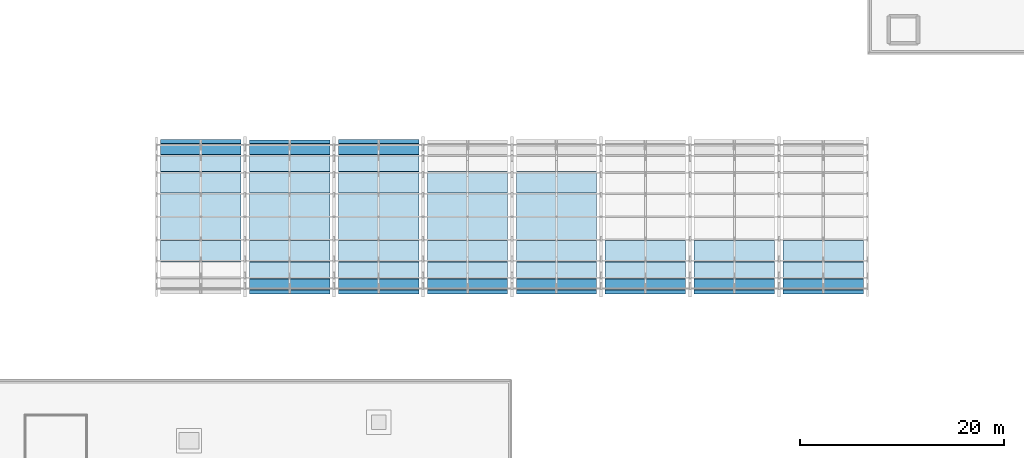
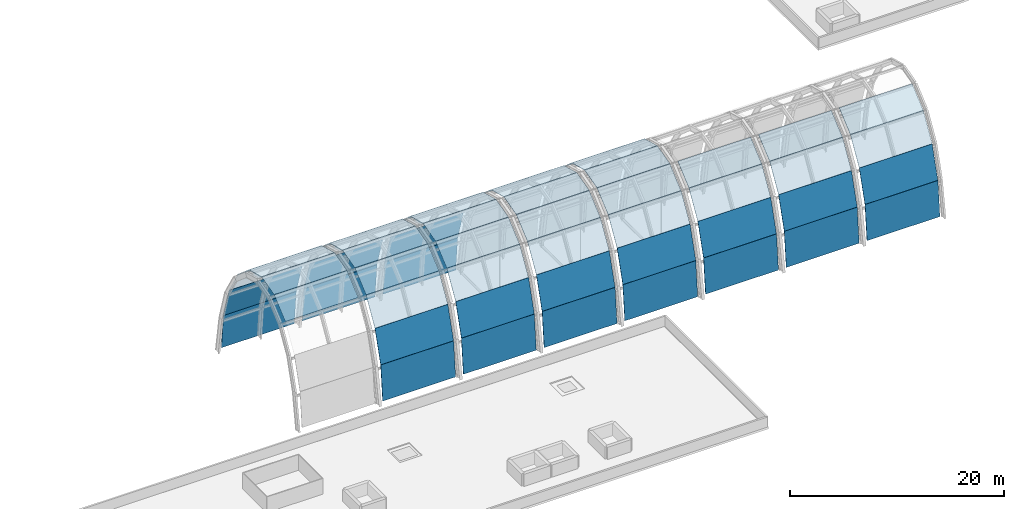
# One storey, part 10 of 13: 53 plates.
"""IFC4 building model written with IfcOpenShell, lengths in metres."""

from ifc_helpers import new_model, si_unit, derived_unit, direction, frame, origin, place, context, subcontext, project, spatial, polyline, outline, extrude, material, layer, layer_set, type_object, element, save


model = new_model("IFC4")

# Units and contexts
model_context = context("Model", 3, precision=1e-05, world=origin(), true_north=direction((0.0, 1.0)))
body_context = subcontext(model_context, "Body", "Model", "MODEL_VIEW")
ifc_project = project(units=[si_unit("LENGTHUNIT", "METRE"), si_unit("AREAUNIT", "SQUARE_METRE"), si_unit("VOLUMEUNIT", "CUBIC_METRE"), si_unit("PLANEANGLEUNIT", "RADIAN"), si_unit("MASSUNIT", "GRAM", prefix="KILO"), derived_unit("THERMALTRANSMITTANCEUNIT", [(si_unit("MASSUNIT", "GRAM", prefix="KILO"), 1), (si_unit("TIMEUNIT", "SECOND"), -3), (si_unit("THERMODYNAMICTEMPERATUREUNIT", "KELVIN"), -1)])], contexts=[model_context])

# Site, building, storey
site_placement = place(None, origin())
site = spatial("IfcSite", under=ifc_project, at=site_placement, CompositionType="ELEMENT")
building_placement = place(site_placement, origin())
building = spatial("IfcBuilding", under=site, at=building_placement, Name="Qinzheling Arcade Emporium", CompositionType="ELEMENT")
storey_placement = place(building_placement, frame((0.0, 0.0, 41.10009765625)))
storey = spatial("IfcBuildingStorey", under=building, at=storey_placement, Name="RF", CompositionType="ELEMENT", Elevation=41.10009765625)

# Plates
ifc_material = material(Name="Ceramic-fritted laminated skylight glass", Category="glass")
ifc_layer_1 = layer(ifc_material, 0.032958984375, Name="Ceramic-fritted laminated skylight glass", Category="glass")
ifc_layer_set_1 = layer_set([ifc_layer_1], Name="Ceramic-fritted laminated skylight glass")
plate_type_1 = type_object("IfcPlateType", Name="Barrel Vault Skylight Roof Panel 33mm", PredefinedType="USERDEFINED", material=ifc_layer_set_1)
plate_1_placement = place(storey_placement, frame((35.219970703125, 53.470947265625, 5.4189453125), z_axis=(0.0, -0.650279671288, 0.759694905281), x_axis=(1.0, 0.0, 0.0)))
element("IfcPlate", 1, at=plate_1_placement, inside=storey, type_object=plate_type_1, Name="Barrel Vault Skylight Roof Panel SKP-ATRIUM-B01-S04", ObjectType="SKYLIGHT_PANEL", PredefinedType="USERDEFINED", context=body_context, shape_type="SweptSolid", body=[
    extrude(outline(polyline([(0.0, 0.0), (7.860107421875, 0.0), (7.860107421875, 2.7512200965105484), (0.0, 2.7512200965105484), (0.0, 0.0)])), origin(), (0.0, 0.0, -1.0), 0.032958984375),
])
plate_2_placement = place(storey_placement, frame((35.219970703125, 62.3359375, 5.410888671875), z_axis=(0.0, 0.859214140799, 0.51161612587), x_axis=(1.0, 0.0, 0.0)))
element("IfcPlate", 2, at=plate_2_placement, inside=storey, type_object=plate_type_1, Name="Barrel Vault Skylight Roof Panel SKP-ATRIUM-B01-S08", ObjectType="SKYLIGHT_PANEL", PredefinedType="USERDEFINED", context=body_context, shape_type="SweptSolid", body=[
    extrude(outline(polyline([(0.0, 0.0), (7.860107421875, 0.0), (7.860107421875, 3.2449255722280164), (0.0, 3.2449255722280164), (0.0, 0.0)])), origin(), (0.0, 0.0, -1.0), 0.032958984375),
])
plate_3_placement = place(storey_placement, frame((43.919921875, 50.735107421875, -0.89599609375), z_axis=(0.0, -0.956970675176, 0.290184642691), x_axis=(1.0, 0.0, 0.0)))
element("IfcPlate", 3, at=plate_3_placement, inside=storey, type_object=plate_type_1, Name="Barrel Vault Skylight Roof Panel SKP-ATRIUM-B02-S02", ObjectType="SKYLIGHT_PANEL", PredefinedType="USERDEFINED", context=body_context, shape_type="SweptSolid", body=[
    extrude(outline(polyline([(0.0, 0.0), (7.860107421875, 0.0), (7.860107421875, 3.6698751400930294), (0.0, 3.6698751400930294), (0.0, 0.0)])), origin(), (0.0, 0.0, -1.0), 0.032958984375),
])
plate_4_placement = place(storey_placement, frame((43.919921875, 57.907958984375, 7.831787109375), z_axis=(0.0, 0.257187524767, 0.966361514706), x_axis=(1.0, 0.0, 0.0)))
element("IfcPlate", 4, at=plate_4_placement, inside=storey, type_object=plate_type_1, Name="Barrel Vault Skylight Roof Panel SKP-ATRIUM-B02-S06", ObjectType="SKYLIGHT_PANEL", PredefinedType="USERDEFINED", context=body_context, shape_type="SweptSolid", body=[
    extrude(outline(polyline([(0.0, 0.0), (7.860107421875, 0.0), (7.860107421875, 2.3988074846719925), (0.0, 2.3988074846719925), (0.0, 0.0)])), origin(), (0.0, 0.0, -1.0), 0.032958984375),
])
plate_5_placement = place(storey_placement, frame((43.919921875, 65.06591796875, -0.903076171875), z_axis=(0.0, 0.995583686489, 0.093878236017), x_axis=(1.0, 0.0, 0.0)))
element("IfcPlate", 5, at=plate_5_placement, inside=storey, type_object=plate_type_1, Name="Barrel Vault Skylight Roof Panel SKP-ATRIUM-B02-S10", ObjectType="SKYLIGHT_PANEL", PredefinedType="USERDEFINED", context=body_context, shape_type="SweptSolid", body=[
    extrude(outline(polyline([(0.0, 0.0), (7.860107421875, 0.0), (7.860107421875, 3.911316568960836), (0.0, 3.911316568960836), (0.0, 0.0)])), origin(), (0.0, 0.0, -1.0), 0.032958984375),
])
plate_6_placement = place(storey_placement, frame((52.6201171875, 53.470947265625, 5.4189453125), z_axis=(0.0, -0.650279671288, 0.759694905281), x_axis=(1.0, 0.0, 0.0)))
element("IfcPlate", 6, at=plate_6_placement, inside=storey, type_object=plate_type_1, Name="Barrel Vault Skylight Roof Panel SKP-ATRIUM-B03-S04", ObjectType="SKYLIGHT_PANEL", PredefinedType="USERDEFINED", context=body_context, shape_type="SweptSolid", body=[
    extrude(outline(polyline([(0.0, 0.0), (7.85986328125, 0.0), (7.85986328125, 2.751220096510549), (0.0, 2.751220096510549), (0.0, 0.0)])), origin(), (0.0, 0.0, -1.0), 0.032958984375),
])
plate_7_placement = place(storey_placement, frame((52.6201171875, 62.3359375, 5.410888671875), z_axis=(0.0, 0.859214140799, 0.51161612587), x_axis=(1.0, 0.0, 0.0)))
element("IfcPlate", 7, at=plate_7_placement, inside=storey, type_object=plate_type_1, Name="Barrel Vault Skylight Roof Panel SKP-ATRIUM-B03-S08", ObjectType="SKYLIGHT_PANEL", PredefinedType="USERDEFINED", context=body_context, shape_type="SweptSolid", body=[
    extrude(outline(polyline([(0.0, 0.0), (7.85986328125, 0.0), (7.85986328125, 3.2449255722280164), (0.0, 3.2449255722280164), (0.0, 0.0)])), origin(), (0.0, 0.0, -1.0), 0.032958984375),
])
plate_8_placement = place(storey_placement, frame((61.320068359375, 50.735107421875, -0.89599609375), z_axis=(0.0, -0.956970675176, 0.290184642691), x_axis=(1.0, 0.0, 0.0)))
element("IfcPlate", 8, at=plate_8_placement, inside=storey, type_object=plate_type_1, Name="Barrel Vault Skylight Roof Panel SKP-ATRIUM-B04-S02", ObjectType="SKYLIGHT_PANEL", PredefinedType="USERDEFINED", context=body_context, shape_type="SweptSolid", body=[
    extrude(outline(polyline([(0.0, 0.0), (7.85986328125, 0.0), (7.85986328125, 3.6698751400930294), (0.0, 3.6698751400930294), (0.0, 0.0)])), origin(), (0.0, 0.0, -1.0), 0.032958984375),
])
plate_9_placement = place(storey_placement, frame((61.320068359375, 57.907958984375, 7.831787109375), z_axis=(0.0, 0.257187524767, 0.966361514706), x_axis=(1.0, 0.0, 0.0)))
element("IfcPlate", 9, at=plate_9_placement, inside=storey, type_object=plate_type_1, Name="Barrel Vault Skylight Roof Panel SKP-ATRIUM-B04-S06", ObjectType="SKYLIGHT_PANEL", PredefinedType="USERDEFINED", context=body_context, shape_type="SweptSolid", body=[
    extrude(outline(polyline([(0.0, 0.0), (7.85986328125, 0.0), (7.85986328125, 2.3988074846719925), (0.0, 2.3988074846719925), (0.0, 0.0)])), origin(), (0.0, 0.0, -1.0), 0.032958984375),
])
plate_10_placement = place(storey_placement, frame((70.02001953125, 53.470947265625, 5.4189453125), z_axis=(0.0, -0.650279671288, 0.759694905281), x_axis=(1.0, 0.0, 0.0)))
element("IfcPlate", 10, at=plate_10_placement, inside=storey, type_object=plate_type_1, Name="Barrel Vault Skylight Roof Panel SKP-ATRIUM-B05-S04", ObjectType="SKYLIGHT_PANEL", PredefinedType="USERDEFINED", context=body_context, shape_type="SweptSolid", body=[
    extrude(outline(polyline([(0.0, 0.0), (7.85986328125, 0.0), (7.85986328125, 2.751220096510549), (0.0, 2.751220096510549), (0.0, 0.0)])), origin(), (0.0, 0.0, -1.0), 0.032958984375),
])
plate_11_placement = place(storey_placement, frame((78.719970703125, 50.735107421875, -0.89599609375), z_axis=(0.0, -0.956970675176, 0.290184642691), x_axis=(1.0, 0.0, 0.0)))
element("IfcPlate", 11, at=plate_11_placement, inside=storey, type_object=plate_type_1, Name="Barrel Vault Skylight Roof Panel SKP-ATRIUM-B06-S02", ObjectType="SKYLIGHT_PANEL", PredefinedType="USERDEFINED", context=body_context, shape_type="SweptSolid", body=[
    extrude(outline(polyline([(0.0, 0.0), (7.860107421875, 0.0), (7.860107421875, 3.6698751400930294), (0.0, 3.6698751400930294), (0.0, 0.0)])), origin(), (0.0, 0.0, -1.0), 0.032958984375),
])
plate_12_placement = place(storey_placement, frame((87.419921875, 53.470947265625, 5.4189453125), z_axis=(0.0, -0.650279671288, 0.759694905281), x_axis=(1.0, 0.0, 0.0)))
element("IfcPlate", 12, at=plate_12_placement, inside=storey, type_object=plate_type_1, Name="Barrel Vault Skylight Roof Panel SKP-ATRIUM-B07-S04", ObjectType="SKYLIGHT_PANEL", PredefinedType="USERDEFINED", context=body_context, shape_type="SweptSolid", body=[
    extrude(outline(polyline([(0.0, 0.0), (7.860107421875, 0.0), (7.860107421875, 2.7512200965105484), (0.0, 2.7512200965105484), (0.0, 0.0)])), origin(), (0.0, 0.0, -1.0), 0.032958984375),
])
plate_13_placement = place(storey_placement, frame((96.1201171875, 50.735107421875, -0.89599609375), z_axis=(0.0, -0.956970675176, 0.290184642691), x_axis=(1.0, 0.0, 0.0)))
element("IfcPlate", 13, at=plate_13_placement, inside=storey, type_object=plate_type_1, Name="Barrel Vault Skylight Roof Panel SKP-ATRIUM-B08-S02", ObjectType="SKYLIGHT_PANEL", PredefinedType="USERDEFINED", context=body_context, shape_type="SweptSolid", body=[
    extrude(outline(polyline([(0.0, 0.0), (7.85986328125, 0.0), (7.85986328125, 3.6698751400930294), (0.0, 3.6698751400930294), (0.0, 0.0)])), origin(), (0.0, 0.0, -1.0), 0.032958984375),
])
ifc_layer_2 = layer(ifc_material, 0.035888671875, Name="Ceramic-fritted laminated skylight glass", Category="glass")
ifc_layer_set_2 = layer_set([ifc_layer_2], Name="Ceramic-fritted laminated skylight glass")
plate_type_2 = type_object("IfcPlateType", Name="Barrel Vault Skylight Roof Panel 36mm", PredefinedType="USERDEFINED", material=ifc_layer_set_2)
plate_14_placement = place(storey_placement, frame((35.219970703125, 55.572998046875, 7.218017578125), z_axis=(0.0, -0.257187524767, 0.966361514706), x_axis=(1.0, 0.0, 0.0)))
element("IfcPlate", 14, at=plate_14_placement, inside=storey, type_object=plate_type_2, Name="Barrel Vault Skylight Roof Panel SKP-ATRIUM-B01-S05", ObjectType="SKYLIGHT_PANEL", PredefinedType="USERDEFINED", context=body_context, shape_type="SweptSolid", body=[
    extrude(outline(polyline([(0.0, 0.0), (7.860107421875, 0.0), (7.860107421875, 2.3988074846719925), (0.0, 2.3988074846719925), (0.0, 0.0)])), origin(), (0.0, 0.0, -1.0), 0.035888671875),
])
plate_15_placement = place(storey_placement, frame((35.219970703125, 64.001953125, 2.615966796875), z_axis=(0.0, 0.956970675176, 0.290184642691), x_axis=(1.0, 0.0, 0.0)))
element("IfcPlate", 15, at=plate_15_placement, inside=storey, type_object=plate_type_2, Name="Barrel Vault Skylight Roof Panel SKP-ATRIUM-B01-S09", ObjectType="SKYLIGHT_PANEL", PredefinedType="USERDEFINED", context=body_context, shape_type="SweptSolid", body=[
    extrude(outline(polyline([(0.0, 0.0), (7.860107421875, 0.0), (7.860107421875, 3.6698751400930294), (0.0, 3.6698751400930294), (0.0, 0.0)])), origin(), (0.0, 0.0, -1.0), 0.035888671875),
])
plate_16_placement = place(storey_placement, frame((43.919921875, 51.801025390625, 2.6240234375), z_axis=(0.0, -0.859227521908, 0.511593652811), x_axis=(1.0, 0.0, 0.0)))
element("IfcPlate", 16, at=plate_16_placement, inside=storey, type_object=plate_type_2, Name="Barrel Vault Skylight Roof Panel SKP-ATRIUM-B02-S03", ObjectType="SKYLIGHT_PANEL", PredefinedType="USERDEFINED", context=body_context, shape_type="SweptSolid", body=[
    extrude(outline(polyline([(0.0, 0.0), (7.860107421875, 0.0), (7.860107421875, 3.2445908979797426), (0.0, 3.2445908979797426), (0.0, 0.0)])), origin(), (0.0, 0.0, -1.0), 0.035888671875),
])
plate_17_placement = place(storey_placement, frame((43.919921875, 60.240966796875, 7.2099609375), z_axis=(0.0, 0.650279671288, 0.759694905281), x_axis=(1.0, 0.0, 0.0)))
element("IfcPlate", 17, at=plate_17_placement, inside=storey, type_object=plate_type_2, Name="Barrel Vault Skylight Roof Panel SKP-ATRIUM-B02-S07", ObjectType="SKYLIGHT_PANEL", PredefinedType="USERDEFINED", context=body_context, shape_type="SweptSolid", body=[
    extrude(outline(polyline([(0.0, 0.0), (7.860107421875, 0.0), (7.860107421875, 2.7512200965105484), (0.0, 2.7512200965105484), (0.0, 0.0)])), origin(), (0.0, 0.0, -1.0), 0.035888671875),
])
plate_18_placement = place(storey_placement, frame((52.6201171875, 50.364013671875, -4.797119140625), z_axis=(0.0, -0.995589518511, 0.093816366541), x_axis=(1.0, 0.0, 0.0)))
element("IfcPlate", 18, at=plate_18_placement, inside=storey, type_object=plate_type_2, Name="Barrel Vault Skylight Roof Panel SKP-ATRIUM-B03-S01", ObjectType="SKYLIGHT_PANEL", PredefinedType="USERDEFINED", context=body_context, shape_type="SweptSolid", body=[
    extrude(outline(polyline([(0.0, 0.0), (7.85986328125, 0.0), (7.85986328125, 3.9112936570220245), (0.0, 3.9112936570220245), (0.0, 0.0)])), origin(), (0.0, 0.0, -1.0), 0.035888671875),
])
plate_19_placement = place(storey_placement, frame((52.6201171875, 55.572998046875, 7.218017578125), z_axis=(0.0, -0.257187524767, 0.966361514706), x_axis=(1.0, 0.0, 0.0)))
element("IfcPlate", 19, at=plate_19_placement, inside=storey, type_object=plate_type_2, Name="Barrel Vault Skylight Roof Panel SKP-ATRIUM-B03-S05", ObjectType="SKYLIGHT_PANEL", PredefinedType="USERDEFINED", context=body_context, shape_type="SweptSolid", body=[
    extrude(outline(polyline([(0.0, 0.0), (7.85986328125, 0.0), (7.85986328125, 2.3988074846719925), (0.0, 2.3988074846719925), (0.0, 0.0)])), origin(), (0.0, 0.0, -1.0), 0.035888671875),
])
plate_20_placement = place(storey_placement, frame((52.6201171875, 64.001953125, 2.615966796875), z_axis=(0.0, 0.956970675176, 0.290184642691), x_axis=(1.0, 0.0, 0.0)))
element("IfcPlate", 20, at=plate_20_placement, inside=storey, type_object=plate_type_2, Name="Barrel Vault Skylight Roof Panel SKP-ATRIUM-B03-S09", ObjectType="SKYLIGHT_PANEL", PredefinedType="USERDEFINED", context=body_context, shape_type="SweptSolid", body=[
    extrude(outline(polyline([(0.0, 0.0), (7.85986328125, 0.0), (7.85986328125, 3.6698751400930294), (0.0, 3.6698751400930294), (0.0, 0.0)])), origin(), (0.0, 0.0, -1.0), 0.035888671875),
])
plate_21_placement = place(storey_placement, frame((61.320068359375, 51.801025390625, 2.6240234375), z_axis=(0.0, -0.859227521908, 0.511593652811), x_axis=(1.0, 0.0, 0.0)))
element("IfcPlate", 21, at=plate_21_placement, inside=storey, type_object=plate_type_2, Name="Barrel Vault Skylight Roof Panel SKP-ATRIUM-B04-S03", ObjectType="SKYLIGHT_PANEL", PredefinedType="USERDEFINED", context=body_context, shape_type="SweptSolid", body=[
    extrude(outline(polyline([(0.0, 0.0), (7.85986328125, 0.0), (7.85986328125, 3.2445908979797426), (0.0, 3.2445908979797426), (0.0, 0.0)])), origin(), (0.0, 0.0, -1.0), 0.035888671875),
])
plate_22_placement = place(storey_placement, frame((61.320068359375, 60.240966796875, 7.2099609375), z_axis=(0.0, 0.650279671288, 0.759694905281), x_axis=(1.0, 0.0, 0.0)))
element("IfcPlate", 22, at=plate_22_placement, inside=storey, type_object=plate_type_2, Name="Barrel Vault Skylight Roof Panel SKP-ATRIUM-B04-S07", ObjectType="SKYLIGHT_PANEL", PredefinedType="USERDEFINED", context=body_context, shape_type="SweptSolid", body=[
    extrude(outline(polyline([(0.0, 0.0), (7.85986328125, 0.0), (7.85986328125, 2.751220096510549), (0.0, 2.751220096510549), (0.0, 0.0)])), origin(), (0.0, 0.0, -1.0), 0.035888671875),
])
plate_23_placement = place(storey_placement, frame((70.02001953125, 50.364013671875, -4.797119140625), z_axis=(0.0, -0.995589518511, 0.093816366541), x_axis=(1.0, 0.0, 0.0)))
element("IfcPlate", 23, at=plate_23_placement, inside=storey, type_object=plate_type_2, Name="Barrel Vault Skylight Roof Panel SKP-ATRIUM-B05-S01", ObjectType="SKYLIGHT_PANEL", PredefinedType="USERDEFINED", context=body_context, shape_type="SweptSolid", body=[
    extrude(outline(polyline([(0.0, 0.0), (7.85986328125, 0.0), (7.85986328125, 3.9112936570220245), (0.0, 3.9112936570220245), (0.0, 0.0)])), origin(), (0.0, 0.0, -1.0), 0.035888671875),
])
plate_24_placement = place(storey_placement, frame((70.02001953125, 55.572998046875, 7.218017578125), z_axis=(0.0, -0.257187524767, 0.966361514706), x_axis=(1.0, 0.0, 0.0)))
element("IfcPlate", 24, at=plate_24_placement, inside=storey, type_object=plate_type_2, Name="Barrel Vault Skylight Roof Panel SKP-ATRIUM-B05-S05", ObjectType="SKYLIGHT_PANEL", PredefinedType="USERDEFINED", context=body_context, shape_type="SweptSolid", body=[
    extrude(outline(polyline([(0.0, 0.0), (7.85986328125, 0.0), (7.85986328125, 2.3988074846719925), (0.0, 2.3988074846719925), (0.0, 0.0)])), origin(), (0.0, 0.0, -1.0), 0.035888671875),
])
plate_25_placement = place(storey_placement, frame((78.719970703125, 51.801025390625, 2.6240234375), z_axis=(0.0, -0.859227521908, 0.511593652811), x_axis=(1.0, 0.0, 0.0)))
element("IfcPlate", 25, at=plate_25_placement, inside=storey, type_object=plate_type_2, Name="Barrel Vault Skylight Roof Panel SKP-ATRIUM-B06-S03", ObjectType="SKYLIGHT_PANEL", PredefinedType="USERDEFINED", context=body_context, shape_type="SweptSolid", body=[
    extrude(outline(polyline([(0.0, 0.0), (7.860107421875, 0.0), (7.860107421875, 3.2445908979797426), (0.0, 3.2445908979797426), (0.0, 0.0)])), origin(), (0.0, 0.0, -1.0), 0.035888671875),
])
plate_26_placement = place(storey_placement, frame((87.419921875, 50.364013671875, -4.797119140625), z_axis=(0.0, -0.995589518511, 0.093816366541), x_axis=(1.0, 0.0, 0.0)))
element("IfcPlate", 26, at=plate_26_placement, inside=storey, type_object=plate_type_2, Name="Barrel Vault Skylight Roof Panel SKP-ATRIUM-B07-S01", ObjectType="SKYLIGHT_PANEL", PredefinedType="USERDEFINED", context=body_context, shape_type="SweptSolid", body=[
    extrude(outline(polyline([(0.0, 0.0), (7.860107421875, 0.0), (7.860107421875, 3.911293657022025), (0.0, 3.911293657022025), (0.0, 0.0)])), origin(), (0.0, 0.0, -1.0), 0.035888671875),
])
plate_27_placement = place(storey_placement, frame((96.1201171875, 51.801025390625, 2.6240234375), z_axis=(0.0, -0.859227521908, 0.511593652811), x_axis=(1.0, 0.0, 0.0)))
element("IfcPlate", 27, at=plate_27_placement, inside=storey, type_object=plate_type_2, Name="Barrel Vault Skylight Roof Panel SKP-ATRIUM-B08-S03", ObjectType="SKYLIGHT_PANEL", PredefinedType="USERDEFINED", context=body_context, shape_type="SweptSolid", body=[
    extrude(outline(polyline([(0.0, 0.0), (7.85986328125, 0.0), (7.85986328125, 3.2445908979797426), (0.0, 3.2445908979797426), (0.0, 0.0)])), origin(), (0.0, 0.0, -1.0), 0.035888671875),
])
ifc_layer_3 = layer(ifc_material, 0.0400390625, Name="Ceramic-fritted laminated skylight glass", Category="glass")
ifc_layer_set_3 = layer_set([ifc_layer_3], Name="Ceramic-fritted laminated skylight glass")
plate_type_3 = type_object("IfcPlateType", Name="Barrel Vault Skylight Roof Panel 40mm", PredefinedType="USERDEFINED", material=ifc_layer_set_3)
plate_28_placement = place(storey_placement, frame((35.219970703125, 57.909912109375, 7.8388671875), z_axis=(0.0, 0.257187524767, 0.966361514706), x_axis=(1.0, 0.0, 0.0)))
element("IfcPlate", 28, at=plate_28_placement, inside=storey, type_object=plate_type_3, Name="Barrel Vault Skylight Roof Panel SKP-ATRIUM-B01-S06", ObjectType="SKYLIGHT_PANEL", PredefinedType="USERDEFINED", context=body_context, shape_type="SweptSolid", body=[
    extrude(outline(polyline([(0.0, 0.0), (7.860107421875, 0.0), (7.860107421875, 2.3988074846719925), (0.0, 2.3988074846719925), (0.0, 0.0)])), origin(), (0.0, 0.0, -1.0), 0.0400390625),
])
plate_29_placement = place(storey_placement, frame((35.219970703125, 65.072998046875, -0.902099609375), z_axis=(0.0, 0.995589518511, 0.093816366541), x_axis=(1.0, 0.0, 0.0)))
element("IfcPlate", 29, at=plate_29_placement, inside=storey, type_object=plate_type_3, Name="Barrel Vault Skylight Roof Panel SKP-ATRIUM-B01-S10", ObjectType="SKYLIGHT_PANEL", PredefinedType="USERDEFINED", context=body_context, shape_type="SweptSolid", body=[
    extrude(outline(polyline([(0.0, 0.0), (7.860107421875, 0.0), (7.860107421875, 3.911293657022025), (0.0, 3.911293657022025), (0.0, 0.0)])), origin(), (0.0, 0.0, -1.0), 0.0400390625),
])
plate_30_placement = place(storey_placement, frame((43.919921875, 53.466064453125, 5.423828125), z_axis=(0.0, -0.650323511501, 0.759657376972), x_axis=(1.0, 0.0, 0.0)))
element("IfcPlate", 30, at=plate_30_placement, inside=storey, type_object=plate_type_3, Name="Barrel Vault Skylight Roof Panel SKP-ATRIUM-B02-S04", ObjectType="SKYLIGHT_PANEL", PredefinedType="USERDEFINED", context=body_context, shape_type="SweptSolid", body=[
    extrude(outline(polyline([(0.0, 0.0), (7.860107421875, 0.0), (7.860107421875, 2.7510346287025023), (0.0, 2.7510346287025023), (0.0, 0.0)])), origin(), (0.0, 0.0, -1.0), 0.0400390625),
])
plate_31_placement = place(storey_placement, frame((43.919921875, 62.342041015625, 5.413818359375), z_axis=(0.0, 0.859227521908, 0.511593652811), x_axis=(1.0, 0.0, 0.0)))
element("IfcPlate", 31, at=plate_31_placement, inside=storey, type_object=plate_type_3, Name="Barrel Vault Skylight Roof Panel SKP-ATRIUM-B02-S08", ObjectType="SKYLIGHT_PANEL", PredefinedType="USERDEFINED", context=body_context, shape_type="SweptSolid", body=[
    extrude(outline(polyline([(0.0, 0.0), (7.860107421875, 0.0), (7.860107421875, 3.2445908979797426), (0.0, 3.2445908979797426), (0.0, 0.0)])), origin(), (0.0, 0.0, -1.0), 0.0400390625),
])
plate_32_placement = place(storey_placement, frame((52.6201171875, 50.72900390625, -0.89404296875), z_axis=(0.0, -0.956970675176, 0.290184642691), x_axis=(1.0, 0.0, 0.0)))
element("IfcPlate", 32, at=plate_32_placement, inside=storey, type_object=plate_type_3, Name="Barrel Vault Skylight Roof Panel SKP-ATRIUM-B03-S02", ObjectType="SKYLIGHT_PANEL", PredefinedType="USERDEFINED", context=body_context, shape_type="SweptSolid", body=[
    extrude(outline(polyline([(0.0, 0.0), (7.85986328125, 0.0), (7.85986328125, 3.6698751400930294), (0.0, 3.6698751400930294), (0.0, 0.0)])), origin(), (0.0, 0.0, -1.0), 0.0400390625),
])
plate_33_placement = place(storey_placement, frame((52.6201171875, 57.909912109375, 7.8388671875), z_axis=(0.0, 0.257187524767, 0.966361514706), x_axis=(1.0, 0.0, 0.0)))
element("IfcPlate", 33, at=plate_33_placement, inside=storey, type_object=plate_type_3, Name="Barrel Vault Skylight Roof Panel SKP-ATRIUM-B03-S06", ObjectType="SKYLIGHT_PANEL", PredefinedType="USERDEFINED", context=body_context, shape_type="SweptSolid", body=[
    extrude(outline(polyline([(0.0, 0.0), (7.85986328125, 0.0), (7.85986328125, 2.3988074846719925), (0.0, 2.3988074846719925), (0.0, 0.0)])), origin(), (0.0, 0.0, -1.0), 0.0400390625),
])
plate_34_placement = place(storey_placement, frame((52.6201171875, 65.072998046875, -0.902099609375), z_axis=(0.0, 0.995589518511, 0.093816366541), x_axis=(1.0, 0.0, 0.0)))
element("IfcPlate", 34, at=plate_34_placement, inside=storey, type_object=plate_type_3, Name="Barrel Vault Skylight Roof Panel SKP-ATRIUM-B03-S10", ObjectType="SKYLIGHT_PANEL", PredefinedType="USERDEFINED", context=body_context, shape_type="SweptSolid", body=[
    extrude(outline(polyline([(0.0, 0.0), (7.85986328125, 0.0), (7.85986328125, 3.9112936570220245), (0.0, 3.9112936570220245), (0.0, 0.0)])), origin(), (0.0, 0.0, -1.0), 0.0400390625),
])
plate_35_placement = place(storey_placement, frame((61.320068359375, 53.466064453125, 5.423828125), z_axis=(0.0, -0.650323511501, 0.759657376972), x_axis=(1.0, 0.0, 0.0)))
element("IfcPlate", 35, at=plate_35_placement, inside=storey, type_object=plate_type_3, Name="Barrel Vault Skylight Roof Panel SKP-ATRIUM-B04-S04", ObjectType="SKYLIGHT_PANEL", PredefinedType="USERDEFINED", context=body_context, shape_type="SweptSolid", body=[
    extrude(outline(polyline([(0.0, 0.0), (7.85986328125, 0.0), (7.85986328125, 2.7510346287025023), (0.0, 2.7510346287025023), (0.0, 0.0)])), origin(), (0.0, 0.0, -1.0), 0.0400390625),
])
plate_36_placement = place(storey_placement, frame((70.02001953125, 50.72900390625, -0.89404296875), z_axis=(0.0, -0.956970675176, 0.290184642691), x_axis=(1.0, 0.0, 0.0)))
element("IfcPlate", 36, at=plate_36_placement, inside=storey, type_object=plate_type_3, Name="Barrel Vault Skylight Roof Panel SKP-ATRIUM-B05-S02", ObjectType="SKYLIGHT_PANEL", PredefinedType="USERDEFINED", context=body_context, shape_type="SweptSolid", body=[
    extrude(outline(polyline([(0.0, 0.0), (7.85986328125, 0.0), (7.85986328125, 3.6698751400930294), (0.0, 3.6698751400930294), (0.0, 0.0)])), origin(), (0.0, 0.0, -1.0), 0.0400390625),
])
plate_37_placement = place(storey_placement, frame((70.02001953125, 57.909912109375, 7.8388671875), z_axis=(0.0, 0.257187524767, 0.966361514706), x_axis=(1.0, 0.0, 0.0)))
element("IfcPlate", 37, at=plate_37_placement, inside=storey, type_object=plate_type_3, Name="Barrel Vault Skylight Roof Panel SKP-ATRIUM-B05-S06", ObjectType="SKYLIGHT_PANEL", PredefinedType="USERDEFINED", context=body_context, shape_type="SweptSolid", body=[
    extrude(outline(polyline([(0.0, 0.0), (7.85986328125, 0.0), (7.85986328125, 2.3988074846719925), (0.0, 2.3988074846719925), (0.0, 0.0)])), origin(), (0.0, 0.0, -1.0), 0.0400390625),
])
plate_38_placement = place(storey_placement, frame((78.719970703125, 53.466064453125, 5.423828125), z_axis=(0.0, -0.650323511501, 0.759657376972), x_axis=(1.0, 0.0, 0.0)))
element("IfcPlate", 38, at=plate_38_placement, inside=storey, type_object=plate_type_3, Name="Barrel Vault Skylight Roof Panel SKP-ATRIUM-B06-S04", ObjectType="SKYLIGHT_PANEL", PredefinedType="USERDEFINED", context=body_context, shape_type="SweptSolid", body=[
    extrude(outline(polyline([(0.0, 0.0), (7.860107421875, 0.0), (7.860107421875, 2.7510346287025023), (0.0, 2.7510346287025023), (0.0, 0.0)])), origin(), (0.0, 0.0, -1.0), 0.0400390625),
])
plate_39_placement = place(storey_placement, frame((87.419921875, 50.72900390625, -0.89404296875), z_axis=(0.0, -0.956970675176, 0.290184642691), x_axis=(1.0, 0.0, 0.0)))
element("IfcPlate", 39, at=plate_39_placement, inside=storey, type_object=plate_type_3, Name="Barrel Vault Skylight Roof Panel SKP-ATRIUM-B07-S02", ObjectType="SKYLIGHT_PANEL", PredefinedType="USERDEFINED", context=body_context, shape_type="SweptSolid", body=[
    extrude(outline(polyline([(0.0, 0.0), (7.860107421875, 0.0), (7.860107421875, 3.6698751400930294), (0.0, 3.6698751400930294), (0.0, 0.0)])), origin(), (0.0, 0.0, -1.0), 0.0400390625),
])
plate_40_placement = place(storey_placement, frame((96.1201171875, 53.466064453125, 5.423828125), z_axis=(0.0, -0.650323511501, 0.759657376972), x_axis=(1.0, 0.0, 0.0)))
element("IfcPlate", 40, at=plate_40_placement, inside=storey, type_object=plate_type_3, Name="Barrel Vault Skylight Roof Panel SKP-ATRIUM-B08-S04", ObjectType="SKYLIGHT_PANEL", PredefinedType="USERDEFINED", context=body_context, shape_type="SweptSolid", body=[
    extrude(outline(polyline([(0.0, 0.0), (7.85986328125, 0.0), (7.85986328125, 2.7510346287025023), (0.0, 2.7510346287025023), (0.0, 0.0)])), origin(), (0.0, 0.0, -1.0), 0.0400390625),
])
ifc_layer_4 = layer(ifc_material, 0.0439453125, Name="Ceramic-fritted laminated skylight glass", Category="glass")
ifc_layer_set_4 = layer_set([ifc_layer_4], Name="Ceramic-fritted laminated skylight glass")
plate_type_4 = type_object("IfcPlateType", Name="Barrel Vault Skylight Roof Panel 44mm", PredefinedType="USERDEFINED", material=ifc_layer_set_4)
plate_41_placement = place(storey_placement, frame((35.219970703125, 60.2470703125, 7.2158203125), z_axis=(0.0, 0.650272294151, 0.759701219862), x_axis=(1.0, 0.0, 0.0)))
element("IfcPlate", 41, at=plate_41_placement, inside=storey, type_object=plate_type_4, Name="Barrel Vault Skylight Roof Panel SKP-ATRIUM-B01-S07", ObjectType="SKYLIGHT_PANEL", PredefinedType="USERDEFINED", context=body_context, shape_type="SweptSolid", body=[
    extrude(outline(polyline([(0.0, 0.0), (7.860107421875, 0.0), (7.860107421875, 2.7508758645658897), (0.0, 2.7508758645658897), (0.0, 0.0)])), origin(), (0.0, 0.0, -1.0), 0.0439453125),
])
plate_42_placement = place(storey_placement, frame((43.919921875, 50.35595703125, -4.796142578125), z_axis=(0.0, -0.995589518511, 0.093816366541), x_axis=(1.0, 0.0, 0.0)))
element("IfcPlate", 42, at=plate_42_placement, inside=storey, type_object=plate_type_4, Name="Barrel Vault Skylight Roof Panel SKP-ATRIUM-B02-S01", ObjectType="SKYLIGHT_PANEL", PredefinedType="USERDEFINED", context=body_context, shape_type="SweptSolid", body=[
    extrude(outline(polyline([(0.0, 0.0), (7.860107421875, 0.0), (7.860107421875, 3.911293657022025), (0.0, 3.911293657022025), (0.0, 0.0)])), origin(), (0.0, 0.0, -1.0), 0.0439453125),
])
plate_43_placement = place(storey_placement, frame((43.919921875, 55.571044921875, 7.225830078125), z_axis=(0.0, -0.257307870254, 0.966329477924), x_axis=(1.0, 0.0, 0.0)))
element("IfcPlate", 43, at=plate_43_placement, inside=storey, type_object=plate_type_4, Name="Barrel Vault Skylight Roof Panel SKP-ATRIUM-B02-S05", ObjectType="SKYLIGHT_PANEL", PredefinedType="USERDEFINED", context=body_context, shape_type="SweptSolid", body=[
    extrude(outline(polyline([(0.0, 0.0), (7.860107421875, 0.0), (7.860107421875, 2.398634365091535), (0.0, 2.398634365091535), (0.0, 0.0)])), origin(), (0.0, 0.0, -1.0), 0.0439453125),
])
plate_44_placement = place(storey_placement, frame((43.919921875, 64.010009765625, 2.618896484375), z_axis=(0.0, 0.956970675176, 0.290184642691), x_axis=(1.0, 0.0, 0.0)))
element("IfcPlate", 44, at=plate_44_placement, inside=storey, type_object=plate_type_4, Name="Barrel Vault Skylight Roof Panel SKP-ATRIUM-B02-S09", ObjectType="SKYLIGHT_PANEL", PredefinedType="USERDEFINED", context=body_context, shape_type="SweptSolid", body=[
    extrude(outline(polyline([(0.0, 0.0), (7.860107421875, 0.0), (7.860107421875, 3.6698751400930294), (0.0, 3.6698751400930294), (0.0, 0.0)])), origin(), (0.0, 0.0, -1.0), 0.0439453125),
])
plate_45_placement = place(storey_placement, frame((52.6201171875, 51.7939453125, 2.62890625), z_axis=(0.0, -0.859214140799, 0.51161612587), x_axis=(1.0, 0.0, 0.0)))
element("IfcPlate", 45, at=plate_45_placement, inside=storey, type_object=plate_type_4, Name="Barrel Vault Skylight Roof Panel SKP-ATRIUM-B03-S03", ObjectType="SKYLIGHT_PANEL", PredefinedType="USERDEFINED", context=body_context, shape_type="SweptSolid", body=[
    extrude(outline(polyline([(0.0, 0.0), (7.85986328125, 0.0), (7.85986328125, 3.2449255722280164), (0.0, 3.2449255722280164), (0.0, 0.0)])), origin(), (0.0, 0.0, -1.0), 0.0439453125),
])
plate_46_placement = place(storey_placement, frame((52.6201171875, 60.2470703125, 7.2158203125), z_axis=(0.0, 0.650272294151, 0.759701219862), x_axis=(1.0, 0.0, 0.0)))
element("IfcPlate", 46, at=plate_46_placement, inside=storey, type_object=plate_type_4, Name="Barrel Vault Skylight Roof Panel SKP-ATRIUM-B03-S07", ObjectType="SKYLIGHT_PANEL", PredefinedType="USERDEFINED", context=body_context, shape_type="SweptSolid", body=[
    extrude(outline(polyline([(0.0, 0.0), (7.85986328125, 0.0), (7.85986328125, 2.7508758645658897), (0.0, 2.7508758645658897), (0.0, 0.0)])), origin(), (0.0, 0.0, -1.0), 0.0439453125),
])
plate_47_placement = place(storey_placement, frame((61.320068359375, 50.35595703125, -4.796142578125), z_axis=(0.0, -0.995589518511, 0.093816366541), x_axis=(1.0, 0.0, 0.0)))
element("IfcPlate", 47, at=plate_47_placement, inside=storey, type_object=plate_type_4, Name="Barrel Vault Skylight Roof Panel SKP-ATRIUM-B04-S01", ObjectType="SKYLIGHT_PANEL", PredefinedType="USERDEFINED", context=body_context, shape_type="SweptSolid", body=[
    extrude(outline(polyline([(0.0, 0.0), (7.85986328125, 0.0), (7.85986328125, 3.9112936570220245), (0.0, 3.9112936570220245), (0.0, 0.0)])), origin(), (0.0, 0.0, -1.0), 0.0439453125),
])
plate_48_placement = place(storey_placement, frame((61.320068359375, 55.571044921875, 7.225830078125), z_axis=(0.0, -0.257307870254, 0.966329477924), x_axis=(1.0, 0.0, 0.0)))
element("IfcPlate", 48, at=plate_48_placement, inside=storey, type_object=plate_type_4, Name="Barrel Vault Skylight Roof Panel SKP-ATRIUM-B04-S05", ObjectType="SKYLIGHT_PANEL", PredefinedType="USERDEFINED", context=body_context, shape_type="SweptSolid", body=[
    extrude(outline(polyline([(0.0, 0.0), (7.85986328125, 0.0), (7.85986328125, 2.3986343650915347), (0.0, 2.3986343650915347), (0.0, 0.0)])), origin(), (0.0, 0.0, -1.0), 0.0439453125),
])
plate_49_placement = place(storey_placement, frame((70.02001953125, 51.7939453125, 2.62890625), z_axis=(0.0, -0.859214140799, 0.51161612587), x_axis=(1.0, 0.0, 0.0)))
element("IfcPlate", 49, at=plate_49_placement, inside=storey, type_object=plate_type_4, Name="Barrel Vault Skylight Roof Panel SKP-ATRIUM-B05-S03", ObjectType="SKYLIGHT_PANEL", PredefinedType="USERDEFINED", context=body_context, shape_type="SweptSolid", body=[
    extrude(outline(polyline([(0.0, 0.0), (7.85986328125, 0.0), (7.85986328125, 3.2449255722280164), (0.0, 3.2449255722280164), (0.0, 0.0)])), origin(), (0.0, 0.0, -1.0), 0.0439453125),
])
plate_50_placement = place(storey_placement, frame((70.02001953125, 60.2470703125, 7.2158203125), z_axis=(0.0, 0.650272294151, 0.759701219862), x_axis=(1.0, 0.0, 0.0)))
element("IfcPlate", 50, at=plate_50_placement, inside=storey, type_object=plate_type_4, Name="Barrel Vault Skylight Roof Panel SKP-ATRIUM-B05-S07", ObjectType="SKYLIGHT_PANEL", PredefinedType="USERDEFINED", context=body_context, shape_type="SweptSolid", body=[
    extrude(outline(polyline([(0.0, 0.0), (7.85986328125, 0.0), (7.85986328125, 2.7508758645658897), (0.0, 2.7508758645658897), (0.0, 0.0)])), origin(), (0.0, 0.0, -1.0), 0.0439453125),
])
plate_51_placement = place(storey_placement, frame((78.719970703125, 50.35595703125, -4.796142578125), z_axis=(0.0, -0.995589518511, 0.093816366541), x_axis=(1.0, 0.0, 0.0)))
element("IfcPlate", 51, at=plate_51_placement, inside=storey, type_object=plate_type_4, Name="Barrel Vault Skylight Roof Panel SKP-ATRIUM-B06-S01", ObjectType="SKYLIGHT_PANEL", PredefinedType="USERDEFINED", context=body_context, shape_type="SweptSolid", body=[
    extrude(outline(polyline([(0.0, 0.0), (7.860107421875, 0.0), (7.860107421875, 3.911293657022025), (0.0, 3.911293657022025), (0.0, 0.0)])), origin(), (0.0, 0.0, -1.0), 0.0439453125),
])
plate_52_placement = place(storey_placement, frame((87.419921875, 51.7939453125, 2.62890625), z_axis=(0.0, -0.859214140799, 0.51161612587), x_axis=(1.0, 0.0, 0.0)))
element("IfcPlate", 52, at=plate_52_placement, inside=storey, type_object=plate_type_4, Name="Barrel Vault Skylight Roof Panel SKP-ATRIUM-B07-S03", ObjectType="SKYLIGHT_PANEL", PredefinedType="USERDEFINED", context=body_context, shape_type="SweptSolid", body=[
    extrude(outline(polyline([(0.0, 0.0), (7.860107421875, 0.0), (7.860107421875, 3.2449255722280164), (0.0, 3.2449255722280164), (0.0, 0.0)])), origin(), (0.0, 0.0, -1.0), 0.0439453125),
])
plate_53_placement = place(storey_placement, frame((96.1201171875, 50.35595703125, -4.796142578125), z_axis=(0.0, -0.995589518511, 0.093816366541), x_axis=(1.0, 0.0, 0.0)))
element("IfcPlate", 53, at=plate_53_placement, inside=storey, type_object=plate_type_4, Name="Barrel Vault Skylight Roof Panel SKP-ATRIUM-B08-S01", ObjectType="SKYLIGHT_PANEL", PredefinedType="USERDEFINED", context=body_context, shape_type="SweptSolid", body=[
    extrude(outline(polyline([(0.0, 0.0), (7.85986328125, 0.0), (7.85986328125, 3.9112936570220245), (0.0, 3.9112936570220245), (0.0, 0.0)])), origin(), (0.0, 0.0, -1.0), 0.0439453125),
])

save(model, "model.ifc")
